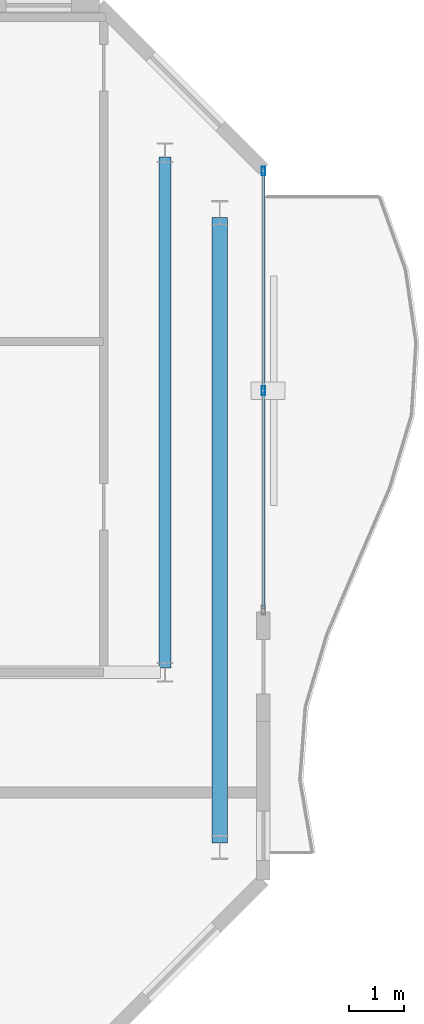
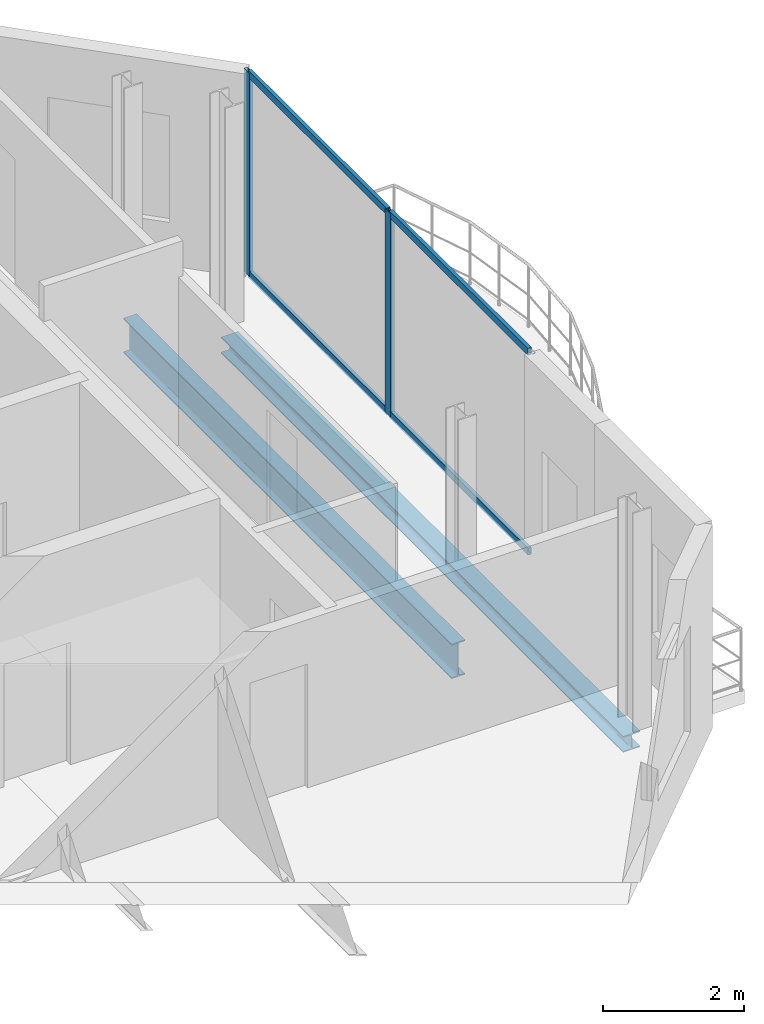
# One storey, part 15 of 22: 6 members, 2 beams, 1 element without a shape of its own.
"""IFC4 building model written with IfcOpenShell, lengths in metres."""

import ifcopenshell
import ifcopenshell.guid

model = None  # the IFC model being written
_history = None  # IfcOwnerHistory: only IFC2X3 demands one
_inside = {}  # id of a spatial element -> (the spatial element, [elements in it])
_under = {}  # id of a project, library or spatial element -> (it, [spatial elements below it])
_declared = {}  # id of a project -> (the project, [libraries it declares])
_typed = {}  # id of a type object -> (the type object, [elements of that type])
_made_of = {}  # id of a material, layer set ... -> (it, [elements and type objects made of it])


def new_model(schema):
    """Start an empty IFC model of exactly this schema.

    Asked for "IFC4X3", IfcOpenShell would pick the latest addendum, in which some entities
    have other attributes; the version numbers below select the first issue.
    IFC2X3 requires an IfcOwnerHistory on every rooted entity: one is made here for all.
    """
    global model, _history
    if schema == "IFC4X3":
        model = ifcopenshell.file(schema_version=(4, 3, 0, 0))
    else:
        model = ifcopenshell.file(schema=schema)
    _inside.clear()
    _under.clear()
    _declared.clear()
    _typed.clear()
    _made_of.clear()
    _history = None
    if model.schema == "IFC2X3":
        org = make("IfcOrganization", Name="unknown")
        user = make(
            "IfcPersonAndOrganization",
            ThePerson=make("IfcPerson", FamilyName="unknown"),
            TheOrganization=org,
        )
        app = make(
            "IfcApplication",
            ApplicationDeveloper=org,
            Version="unknown",
            ApplicationFullName="unknown",
            ApplicationIdentifier="unknown",
        )
        _history = make(
            "IfcOwnerHistory",
            OwningUser=user,
            OwningApplication=app,
            ChangeAction="ADDED",
            CreationDate=0,
        )
    return model


def make(cls, **values):
    """One entity of the class cls with the attributes given. An attribute that is None is left unset."""
    return model.create_entity(
        cls, **{name: value for name, value in values.items() if value is not None}
    )


def rooted(cls, **values):
    """An entity with a GlobalId (a new one), such as an element, a storey or a relation."""
    return make(cls, GlobalId=ifcopenshell.guid.new(), OwnerHistory=_history, **values)


def si_unit(unit_type, name, prefix=None):
    """IfcSIUnit, for example si_unit("LENGTHUNIT", "METRE", prefix="MILLI")."""
    return make("IfcSIUnit", UnitType=unit_type, Prefix=prefix, Name=name)


def assignment(units):
    """IfcUnitAssignment: the units of a project."""
    return None if units is None else make("IfcUnitAssignment", Units=units)


def point(xyz):
    """IfcCartesianPoint."""
    return None if xyz is None else make("IfcCartesianPoint", Coordinates=xyz)


def direction(xyz):
    """IfcDirection."""
    return None if xyz is None else make("IfcDirection", DirectionRatios=xyz)


def frame(location, z_axis=None, x_axis=None):
    """IfcAxis2Placement3D, a coordinate frame: its origin and axes. An axis left out is left unset."""
    return make(
        "IfcAxis2Placement3D",
        Location=point(location),
        Axis=direction(z_axis),
        RefDirection=direction(x_axis),
    )


def frame_2d(location, x_axis=None):
    """IfcAxis2Placement2D, a coordinate frame in the plane: its origin and x axis."""
    return make(
        "IfcAxis2Placement2D", Location=point(location), RefDirection=direction(x_axis)
    )


def origin():
    """The frame at (0, 0, 0) with its axes left unset."""
    return frame((0.0, 0.0, 0.0))


def origin_2d():
    """The frame at (0, 0) in the plane with its x axis left unset."""
    return frame_2d((0.0, 0.0))


def place(relative_to, where):
    """IfcLocalPlacement: puts the frame where relative to a parent placement (None: the world)."""
    return make(
        "IfcLocalPlacement", PlacementRelTo=relative_to, RelativePlacement=where
    )


def context(
    kind, dimensions, precision=None, world=None, true_north=None, identifier=None
):
    """IfcGeometricRepresentationContext, for example the 3D "Model" context."""
    return make(
        "IfcGeometricRepresentationContext",
        ContextIdentifier=identifier,
        ContextType=kind,
        CoordinateSpaceDimension=dimensions,
        Precision=precision,
        WorldCoordinateSystem=world,
        TrueNorth=true_north,
    )


def subcontext(parent, identifier, kind, view, scale=None):
    """IfcGeometricRepresentationSubContext, for example "Body" below "Model"."""
    return make(
        "IfcGeometricRepresentationSubContext",
        ContextIdentifier=identifier,
        ContextType=kind,
        ParentContext=parent,
        TargetScale=scale,
        TargetView=view,
    )


def project(units=None, contexts=None):
    """IfcProject with its units and contexts."""
    return rooted(
        "IfcProject",
        Name="project",
        RepresentationContexts=contexts,
        UnitsInContext=assignment(units),
    )


def spatial(cls, under=None, at=None, **own):
    """A site, building, storey or space (cls), placed at a placement, below another one or the project."""
    s = rooted(cls, ObjectPlacement=at, **own)
    if under is not None:
        _under.setdefault(under.id(), (under, []))[1].append(s)
    return s


def profile(cls, at=None, kind="AREA", **sizes):
    """A parametric profile (cls). Its sizes go by their IFC names, for example OverallWidth=200.0."""
    return make(cls, ProfileType=kind, Position=at, **sizes)


def hollow_rectangle(**sizes):
    """IfcRectangleHollowProfileDef."""
    return profile("IfcRectangleHollowProfileDef", **sizes)


def i_section(**sizes):
    """IfcIShapeProfileDef."""
    return profile("IfcIShapeProfileDef", **sizes)


def extrude(swept, where, along, depth):
    """IfcExtrudedAreaSolid: the profile swept, set in the frame where, extruded along a direction by depth."""
    return make(
        "IfcExtrudedAreaSolid",
        SweptArea=swept,
        Position=where,
        ExtrudedDirection=direction(along),
        Depth=depth,
    )


def shape(context_of_items, identifier, shape_type, items):
    """IfcShapeRepresentation: the items that make up one representation, for example the "Body"."""
    return make(
        "IfcShapeRepresentation",
        ContextOfItems=context_of_items,
        RepresentationIdentifier=identifier,
        RepresentationType=shape_type,
        Items=items,
    )


def material(Name=None, Category=None):
    """IfcMaterial."""
    return make("IfcMaterial", Name=Name, Category=Category)


def layer(
    of_material, thickness, ventilated=None, Name=None, Category=None, Priority=None
):
    """IfcMaterialLayer: one layer of a wall or slab, of a material (None: an air gap)."""
    return make(
        "IfcMaterialLayer",
        Material=of_material,
        LayerThickness=thickness,
        IsVentilated=ventilated,
        Name=Name,
        Category=Category,
        Priority=Priority,
    )


def layer_set(layers, Name=None):
    """IfcMaterialLayerSet."""
    return make("IfcMaterialLayerSet", MaterialLayers=layers, LayerSetName=Name)


def material_profile(
    of_material, cross_section, Name=None, Category=None, Priority=None
):
    """IfcMaterialProfile: a cross section and its material."""
    return make(
        "IfcMaterialProfile",
        Name=Name,
        Material=of_material,
        Profile=cross_section,
        Priority=Priority,
        Category=Category,
    )


def profile_set(profiles, Name=None, composite=None):
    """IfcMaterialProfileSet."""
    return make(
        "IfcMaterialProfileSet",
        Name=Name,
        MaterialProfiles=profiles,
        CompositeProfile=composite,
    )


def made_of(thing, what):
    """Note that an element or type object is made of a material, layer set ...; save() writes the relation."""
    if what is not None:
        _made_of.setdefault(what.id(), (what, []))[1].append(thing)
    return thing


def type_object(cls, material=None, **own):
    """A type object (cls), such as IfcWallType, which elements share."""
    return made_of(rooted(cls, **own), material)


def element(
    cls,
    number,
    at=None,
    inside=None,
    cuts=None,
    type_object=None,
    material=None,
    context=None,
    identifier="Body",
    shape_type=None,
    held_by="IfcProductDefinitionShape",
    body=None,
    shapes=None,
    **own,
):
    """One element of the class cls, such as IfcWall. Its Tag is "e" and its number.

    at: its placement. inside: the storey or other place that contains it. cuts: it is an
    opening in that element (IfcRelVoidsElement). A single representation is given by context,
    identifier, shape_type and body (its items); several are given by shapes. held_by: the class
    of the entity that holds the representations. save() writes the other relations.
    """
    e = rooted(cls, Tag="e%d" % number, ObjectPlacement=at, **own)
    if body is not None:
        shapes = [shape(context, identifier, shape_type, body)]
    if shapes is not None:
        e.Representation = make(held_by, Representations=shapes)
    if inside is not None:
        _inside.setdefault(inside.id(), (inside, []))[1].append(e)
    if cuts is not None:
        rooted(
            "IfcRelVoidsElement", RelatingBuildingElement=cuts, RelatedOpeningElement=e
        )
    if type_object is not None:
        _typed.setdefault(type_object.id(), (type_object, []))[1].append(e)
    return made_of(e, material)


def aggregate(whole, parts):
    """IfcRelAggregates: a whole, such as a stair, and the parts it consists of."""
    return rooted("IfcRelAggregates", RelatingObject=whole, RelatedObjects=parts)


def save(model, path):
    """Write the relations noted so far, then the file.

    IfcRelAggregates (storeys below a building ...), IfcRelContainedInSpatialStructure (elements
    in a storey), IfcRelDefinesByType, IfcRelAssociatesMaterial and IfcRelDeclares: one each for
    every whole, place, type object, material and project.
    """
    for whole, parts in _under.values():
        aggregate(whole, parts)
    for where, things in _inside.values():
        rooted(
            "IfcRelContainedInSpatialStructure",
            RelatedElements=things,
            RelatingStructure=where,
        )
    for kind, things in _typed.values():
        rooted("IfcRelDefinesByType", RelatedObjects=things, RelatingType=kind)
    for what, things in _made_of.values():
        rooted("IfcRelAssociatesMaterial", RelatedObjects=things, RelatingMaterial=what)
    for by, libraries in _declared.values():
        rooted("IfcRelDeclares", RelatingContext=by, RelatedDefinitions=libraries)
    model.write(path)


model = new_model("IFC4")

# Units and contexts
model_context = context("Model", 3, precision=1e-05, world=origin(), true_north=direction((0.0, 1.0)))
body_context = subcontext(model_context, "Body", "Model", "MODEL_VIEW")
ifc_project = project(units=[si_unit("LENGTHUNIT", "METRE"), si_unit("AREAUNIT", "SQUARE_METRE"), si_unit("VOLUMEUNIT", "CUBIC_METRE"), si_unit("PLANEANGLEUNIT", "RADIAN"), si_unit("MASSUNIT", "GRAM", prefix="KILO")], contexts=[model_context])

# Site, building, storey
site_placement = place(None, origin())
site = spatial("IfcSite", under=ifc_project, at=site_placement, CompositionType="ELEMENT")
building_placement = place(site_placement, origin())
building = spatial("IfcBuilding", under=site, at=building_placement, Name="Catumbela Crestline Tower", CompositionType="ELEMENT")
storey_placement = place(building_placement, frame((0.0, 0.0, 218.4)))
storey = spatial("IfcBuildingStorey", under=building, at=storey_placement, Name="L56", CompositionType="ELEMENT", Elevation=218.4)

# Beam
ifc_material_1 = material(Name="Structural steel S355J2", Category="steel")
ifc_material_profile_1 = material_profile(ifc_material_1, i_section(OverallWidth=0.22, OverallDepth=0.6, WebThickness=0.012, FlangeThickness=0.019, FilletRadius=0.024, at=origin_2d()), Name="IPE 600")
ifc_profile_set_1 = profile_set([ifc_material_profile_1], Name="Structural steel S355J2")
beam_type_1 = type_object("IfcBeamType", Name="BG-IPE600", PredefinedType="BEAM", material=ifc_profile_set_1)
beam_1_placement = place(storey_placement, frame((44.2, 30.88, -0.56), z_axis=(0.0, 1.0, 0.0), x_axis=(-1.0, 0.0, 0.0)))
element("IfcBeam", 1, at=beam_1_placement, inside=storey, type_object=beam_type_1, Name="L56 Beam BM-L56-SN19", PredefinedType="BEAM", context=body_context, shape_type="SweptSolid", body=[
    extrude(i_section(OverallWidth=0.22, OverallDepth=0.6, WebThickness=0.012, FlangeThickness=0.019, FilletRadius=0.024, at=origin_2d()), origin(), (0.0, 0.0, 1.0), 9.34),
])

# Curtain wall, members
ifc_material_2 = material(Name="Aluminium alloy AW-6060-T66", Category="aluminium")
ifc_layer = layer(ifc_material_2, 0.18, Name="Aluminium alloy AW-6060-T66")
ifc_layer_set = layer_set([ifc_layer], Name="Aluminium alloy AW-6060-T66")
curtain_wall_type = type_object("IfcCurtainWallType", Name="CWU-Z4", PredefinedType="USERDEFINED", material=ifc_layer_set)
curtain_wall_placement = place(storey_placement, origin())
curtain_wall = element("IfcCurtainWall", 2, at=curtain_wall_placement, inside=storey, type_object=curtain_wall_type, Name="L56 Unitised Curtain Wall CW-L56-E5S2", ObjectType="UNITISED", PredefinedType="USERDEFINED")
ifc_material_profile_2 = material_profile(ifc_material_2, hollow_rectangle(XDim=0.06, YDim=0.16, WallThickness=0.004, at=origin_2d()), Name="ALU 160x60x4")
ifc_profile_set_2 = profile_set([ifc_material_profile_2], Name="Aluminium alloy AW-6060-T66")
member_type_1 = type_object("IfcMemberType", Name="MUL-160X60", PredefinedType="MULLION", material=ifc_profile_set_2)
member_1_placement = place(storey_placement, frame((46.0, 35.95, 0.0), z_axis=(0.0, 0.0, 1.0), x_axis=(-1.0, 0.0, 0.0)))
member_1 = element("IfcMember", 3, at=member_1_placement, type_object=member_type_1, Name="CWU-Z4 mullion 2", PredefinedType="MULLION", context=body_context, shape_type="SweptSolid", body=[
    extrude(hollow_rectangle(XDim=0.06, YDim=0.16, WallThickness=0.004, at=origin_2d()), origin(), (0.0, 0.0, 1.0), 3.53),
])
member_2_placement = place(storey_placement, frame((46.0, 39.9675, 0.0), z_axis=(0.0, 0.0, 1.0), x_axis=(-1.0, 0.0, 0.0)))
member_2 = element("IfcMember", 4, at=member_2_placement, type_object=member_type_1, Name="CWU-Z4 mullion 3", PredefinedType="MULLION", context=body_context, shape_type="SweptSolid", body=[
    extrude(hollow_rectangle(XDim=0.06, YDim=0.16, WallThickness=0.004, at=origin_2d()), origin(), (0.0, 0.0, 1.0), 3.53),
])

# Beam
ifc_material_profile_3 = material_profile(ifc_material_1, i_section(OverallWidth=0.28, OverallDepth=0.28, WebThickness=0.0105, FlangeThickness=0.018, FilletRadius=0.024, at=origin_2d()), Name="HEB 280")
ifc_profile_set_3 = profile_set([ifc_material_profile_3], Name="Structural steel S355J2")
beam_type_2 = type_object("IfcBeamType", Name="BS-HEB280", PredefinedType="SPANDREL", material=ifc_profile_set_3)
beam_2_placement = place(storey_placement, frame((45.2, 27.68, -0.4), z_axis=(0.0, 1.0, 0.0), x_axis=(-1.0, 0.0, 0.0)))
element("IfcBeam", 5, at=beam_2_placement, inside=storey, type_object=beam_type_2, Name="L56 Spandrel SP-L56-SN20", PredefinedType="SPANDREL", context=body_context, shape_type="SweptSolid", body=[
    extrude(i_section(OverallWidth=0.28, OverallDepth=0.28, WebThickness=0.0105, FlangeThickness=0.018, FilletRadius=0.024, at=origin_2d()), origin(), (0.0, 0.0, 1.0), 11.44),
])

# Member
ifc_material_profile_4 = material_profile(ifc_material_2, hollow_rectangle(XDim=0.06, YDim=0.12, WallThickness=0.0035, at=origin_2d()), Name="ALU 120x60x3.5")
ifc_profile_set_4 = profile_set([ifc_material_profile_4], Name="Aluminium alloy AW-6060-T66")
member_type_2 = type_object("IfcMemberType", Name="TRN-120X60", PredefinedType="USERDEFINED", material=ifc_profile_set_4)
member_3_placement = place(storey_placement, frame((46.0, 31.965, 0.03), z_axis=(0.0, 1.0, 0.0), x_axis=(-1.0, 0.0, 0.0)))
member_3 = element("IfcMember", 6, at=member_3_placement, type_object=member_type_2, Name="CWU-Z4 transom 1.1", ObjectType="TRANSOM", PredefinedType="USERDEFINED", context=body_context, shape_type="SweptSolid", body=[
    extrude(hollow_rectangle(XDim=0.06, YDim=0.12, WallThickness=0.0035, at=origin_2d()), origin(), (0.0, 0.0, 1.0), 3.9525),
])

member_4_placement = place(storey_placement, frame((46.0, 31.965, 3.5), z_axis=(0.0, 1.0, 0.0), x_axis=(-1.0, 0.0, 0.0)))
member_4 = element("IfcMember", 7, at=member_4_placement, type_object=member_type_2, Name="CWU-Z4 transom 1.2", ObjectType="TRANSOM", PredefinedType="USERDEFINED", context=body_context, shape_type="SweptSolid", body=[
    extrude(hollow_rectangle(XDim=0.06, YDim=0.12, WallThickness=0.0035, at=origin_2d()), origin(), (0.0, 0.0, 1.0), 3.9525),
])

member_5_placement = place(storey_placement, frame((46.0, 35.9825, 0.03), z_axis=(0.0, 1.0, 0.0), x_axis=(-1.0, 0.0, 0.0)))
member_5 = element("IfcMember", 8, at=member_5_placement, type_object=member_type_2, Name="CWU-Z4 transom 2.1", ObjectType="TRANSOM", PredefinedType="USERDEFINED", context=body_context, shape_type="SweptSolid", body=[
    extrude(hollow_rectangle(XDim=0.06, YDim=0.12, WallThickness=0.0035, at=origin_2d()), origin(), (0.0, 0.0, 1.0), 3.9525),
])

member_6_placement = place(storey_placement, frame((46.0, 35.9825, 3.5), z_axis=(0.0, 1.0, 0.0), x_axis=(-1.0, 0.0, 0.0)))
member_6 = element("IfcMember", 9, at=member_6_placement, type_object=member_type_2, Name="CWU-Z4 transom 2.2", ObjectType="TRANSOM", PredefinedType="USERDEFINED", context=body_context, shape_type="SweptSolid", body=[
    extrude(hollow_rectangle(XDim=0.06, YDim=0.12, WallThickness=0.0035, at=origin_2d()), origin(), (0.0, 0.0, 1.0), 3.9525),
])

aggregate(curtain_wall, [member_1, member_2, member_3, member_4, member_5, member_6])

save(model, "model.ifc")
